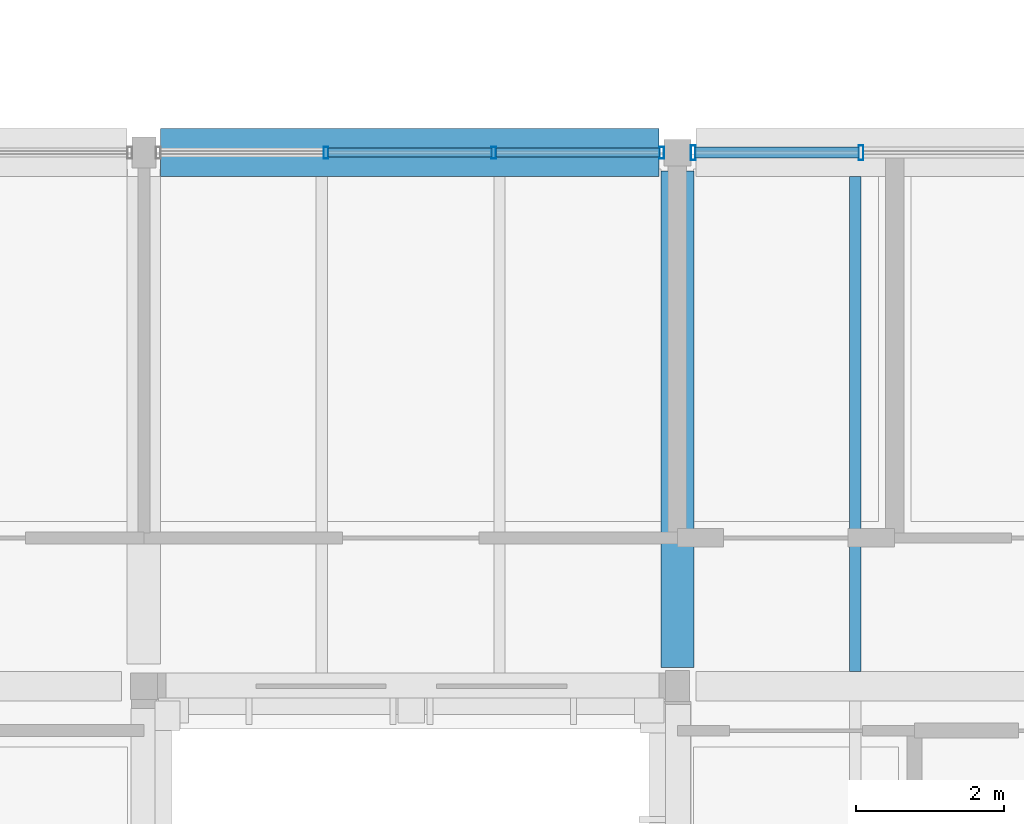
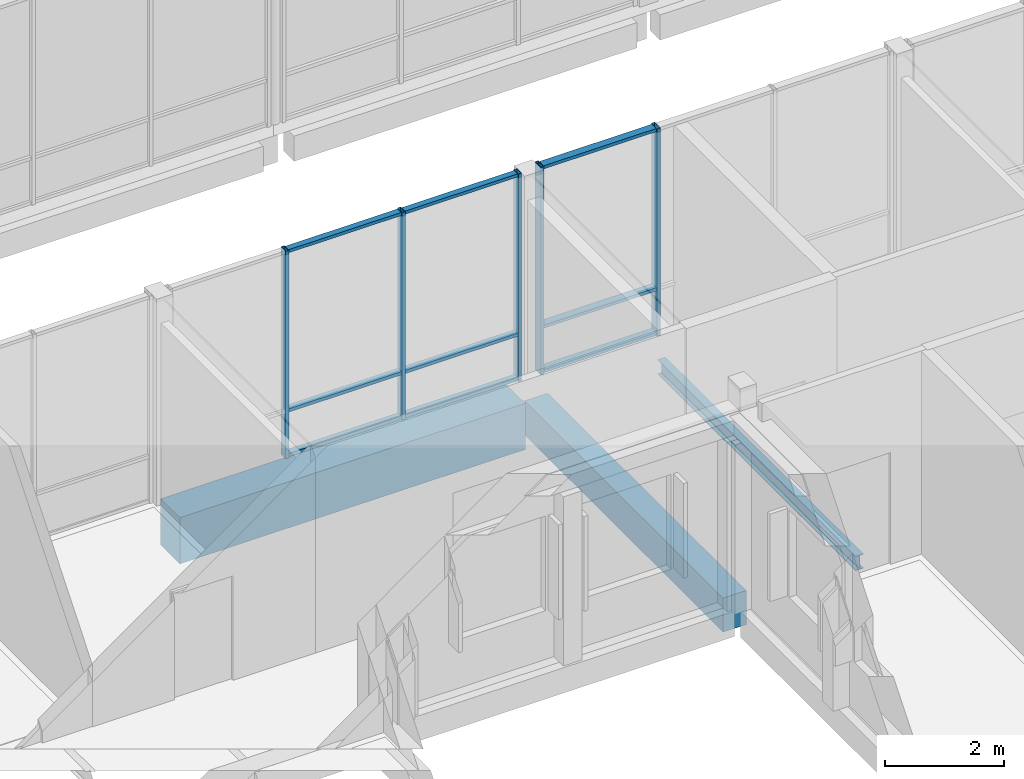
# One storey, part 31 of 146: 14 members, 3 beams, 2 elements without a shape of their own.
"""IFC4 building model written with IfcOpenShell, lengths in metres."""

from ifc_helpers import new_model, si_unit, direction, frame, origin, origin_2d, place, context, subcontext, project, spatial, rectangle, hollow_rectangle, i_section, extrude, material, material_profile, profile_set, type_object, element, aggregate, save


model = new_model("IFC4")

# Units and contexts
model_context = context("Model", 3, precision=1e-05, world=origin(), true_north=direction((0.0, 1.0)))
body_context = subcontext(model_context, "Body", "Model", "MODEL_VIEW")
ifc_project = project(units=[si_unit("LENGTHUNIT", "METRE"), si_unit("AREAUNIT", "SQUARE_METRE"), si_unit("VOLUMEUNIT", "CUBIC_METRE"), si_unit("PLANEANGLEUNIT", "RADIAN"), si_unit("MASSUNIT", "GRAM", prefix="KILO")], contexts=[model_context])

# Site, building, storey
site_placement = place(None, origin())
site = spatial("IfcSite", under=ifc_project, at=site_placement, CompositionType="ELEMENT")
building_placement = place(site_placement, origin())
building = spatial("IfcBuilding", under=site, at=building_placement, Name="Hawrajan Terrace Health Centre", CompositionType="ELEMENT")
storey_placement = place(building_placement, frame((0.0, 0.0, 4.5)))
storey = spatial("IfcBuildingStorey", under=building, at=storey_placement, Name="L01", CompositionType="ELEMENT", Elevation=4.5)

# Curtain wall, members
ifc_material_1 = material(Name="Anodized bronze aluminium and low-E solar glazing", Category="aluminium")
curtain_wall_type_1 = type_object("IfcCurtainWallType", Name="CW_Terrace_SeriesK1", PredefinedType="USERDEFINED", material=ifc_material_1)
curtain_wall_1_placement = place(storey_placement, origin())
curtain_wall_1 = element("IfcCurtainWall", 1, at=curtain_wall_1_placement, inside=storey, type_object=curtain_wall_type_1, Name="Curtain wall CW-L01-069", ObjectType="UNITISED CURTAIN WALL", PredefinedType="USERDEFINED")
ifc_material_2 = material(Name="Anodized bronze aluminium 6063-T6", Category="aluminium")
ifc_material_profile_1 = material_profile(ifc_material_2, hollow_rectangle(XDim=0.06494140625, YDim=0.159912109375, WallThickness=0.00390625, at=origin_2d()), Name="CW MUL 65x160")
ifc_profile_set_1 = profile_set([ifc_material_profile_1], Name="Anodized bronze aluminium 6063-T6")
member_type_1 = type_object("IfcMemberType", Name="CWMullion_65x160", PredefinedType="MULLION", material=ifc_profile_set_1)
member_1_placement = place(storey_placement, frame((43.0576171875, 18.60009765625, -0.0048828125), z_axis=(0.0, 0.0, 1.0), x_axis=(1.0, 0.0, 0.0)))
member_1 = element("IfcMember", 2, at=member_1_placement, type_object=member_type_1, Name="Mullion CW-L01-069-M2", PredefinedType="MULLION", context=body_context, shape_type="SweptSolid", body=[
    extrude(hollow_rectangle(XDim=0.06494140625, YDim=0.159912109375, WallThickness=0.00390625, at=origin_2d()), origin(), (0.0, 0.0, 1.0), 4.269775390625),
])
member_2_placement = place(storey_placement, frame((45.322509765625, 18.60009765625, -0.0048828125), z_axis=(0.0, 0.0, 1.0), x_axis=(1.0, 0.0, 0.0)))
member_2 = element("IfcMember", 3, at=member_2_placement, type_object=member_type_1, Name="Mullion CW-L01-069-M3", PredefinedType="MULLION", context=body_context, shape_type="SweptSolid", body=[
    extrude(hollow_rectangle(XDim=0.06494140625, YDim=0.159912109375, WallThickness=0.00390625, at=origin_2d()), origin(), (0.0, 0.0, 1.0), 4.269775390625),
])
member_3_placement = place(storey_placement, frame((47.58740234375, 18.60009765625, -0.0048828125), z_axis=(0.0, 0.0, 1.0), x_axis=(1.0, 0.0, 0.0)))
member_3 = element("IfcMember", 4, at=member_3_placement, type_object=member_type_1, Name="Mullion CW-L01-069-M4", PredefinedType="MULLION", context=body_context, shape_type="SweptSolid", body=[
    extrude(hollow_rectangle(XDim=0.06494140625, YDim=0.159912109375, WallThickness=0.00390625, at=origin_2d()), origin(), (0.0, 0.0, 1.0), 4.269775390625),
])

curtain_wall_type_2 = type_object("IfcCurtainWallType", Name="CW_Court_SeriesA1", PredefinedType="USERDEFINED", material=ifc_material_1)
curtain_wall_2_placement = place(storey_placement, origin())
curtain_wall_2 = element("IfcCurtainWall", 5, at=curtain_wall_2_placement, inside=storey, type_object=curtain_wall_type_2, Name="Curtain wall CW-L01-073", ObjectType="UNITISED CURTAIN WALL", PredefinedType="USERDEFINED")
ifc_material_profile_2 = material_profile(ifc_material_2, hollow_rectangle(XDim=0.06494140625, YDim=0.199951171875, WallThickness=0.00439453125, at=origin_2d()), Name="CW MUL 65x200")
ifc_profile_set_2 = profile_set([ifc_material_profile_2], Name="Anodized bronze aluminium 6063-T6")
member_type_2 = type_object("IfcMemberType", Name="CWMullion_65x200", PredefinedType="MULLION", material=ifc_profile_set_2)
member_4_placement = place(storey_placement, frame((48.012451171875, 18.60009765625, -0.0048828125), z_axis=(0.0, 0.0, 1.0), x_axis=(1.0, 0.0, 0.0)))
member_4 = element("IfcMember", 6, at=member_4_placement, type_object=member_type_2, Name="Mullion CW-L01-073-M1", PredefinedType="MULLION", context=body_context, shape_type="SweptSolid", body=[
    extrude(hollow_rectangle(XDim=0.06494140625, YDim=0.199951171875, WallThickness=0.00439453125, at=origin_2d()), origin(), (0.0, 0.0, 1.0), 4.269775390625),
])
member_5_placement = place(storey_placement, frame((50.277587890625, 18.60009765625, -0.0048828125), z_axis=(0.0, 0.0, 1.0), x_axis=(1.0, 0.0, 0.0)))
member_5 = element("IfcMember", 7, at=member_5_placement, type_object=member_type_2, Name="Mullion CW-L01-073-M2", PredefinedType="MULLION", context=body_context, shape_type="SweptSolid", body=[
    extrude(hollow_rectangle(XDim=0.06494140625, YDim=0.199951171875, WallThickness=0.00439453125, at=origin_2d()), origin(), (0.0, 0.0, 1.0), 4.269775390625),
])

# Member
ifc_material_profile_3 = material_profile(ifc_material_2, hollow_rectangle(XDim=0.06494140625, YDim=0.1201171875, WallThickness=0.00341796875, at=origin_2d()), Name="CW TRN 65x120")
ifc_profile_set_3 = profile_set([ifc_material_profile_3], Name="Anodized bronze aluminium 6063-T6")
member_type_3 = type_object("IfcMemberType", Name="CWTransom_65x120", PredefinedType="USERDEFINED", material=ifc_profile_set_3)
member_6_placement = place(storey_placement, frame((43.083984375, 18.60009765625, 0.032470703125), z_axis=(1.0, 0.0, 0.0), x_axis=(0.0, 0.0, 1.0)))
member_6 = element("IfcMember", 8, at=member_6_placement, type_object=member_type_3, Name="Transom CW-L01-069-T2-1", ObjectType="TRANSOM", PredefinedType="USERDEFINED", context=body_context, shape_type="SweptSolid", body=[
    extrude(hollow_rectangle(XDim=0.06494140625, YDim=0.1201171875, WallThickness=0.00341796875, at=origin_2d()), origin(), (0.0, 0.0, 1.0), 2.2119140625),
])

member_7_placement = place(storey_placement, frame((43.083984375, 18.60009765625, 0.949951171875), z_axis=(1.0, 0.0, 0.0), x_axis=(0.0, 0.0, 1.0)))
member_7 = element("IfcMember", 9, at=member_7_placement, type_object=member_type_3, Name="Transom CW-L01-069-T2-2", ObjectType="TRANSOM", PredefinedType="USERDEFINED", context=body_context, shape_type="SweptSolid", body=[
    extrude(hollow_rectangle(XDim=0.06494140625, YDim=0.1201171875, WallThickness=0.00341796875, at=origin_2d()), origin(), (0.0, 0.0, 1.0), 2.2119140625),
])

member_8_placement = place(storey_placement, frame((43.083984375, 18.60009765625, 4.2275390625), z_axis=(1.0, 0.0, 0.0), x_axis=(0.0, 0.0, 1.0)))
member_8 = element("IfcMember", 10, at=member_8_placement, type_object=member_type_3, Name="Transom CW-L01-069-T2-3", ObjectType="TRANSOM", PredefinedType="USERDEFINED", context=body_context, shape_type="SweptSolid", body=[
    extrude(hollow_rectangle(XDim=0.06494140625, YDim=0.1201171875, WallThickness=0.00341796875, at=origin_2d()), origin(), (0.0, 0.0, 1.0), 2.2119140625),
])

member_9_placement = place(storey_placement, frame((45.34912109375, 18.60009765625, 0.032470703125), z_axis=(1.0, 0.0, 0.0), x_axis=(0.0, 0.0, 1.0)))
member_9 = element("IfcMember", 11, at=member_9_placement, type_object=member_type_3, Name="Transom CW-L01-069-T3-1", ObjectType="TRANSOM", PredefinedType="USERDEFINED", context=body_context, shape_type="SweptSolid", body=[
    extrude(hollow_rectangle(XDim=0.06494140625, YDim=0.1201171875, WallThickness=0.00341796875, at=origin_2d()), origin(), (0.0, 0.0, 1.0), 2.2119140625),
])

member_10_placement = place(storey_placement, frame((45.34912109375, 18.60009765625, 0.949951171875), z_axis=(1.0, 0.0, 0.0), x_axis=(0.0, 0.0, 1.0)))
member_10 = element("IfcMember", 12, at=member_10_placement, type_object=member_type_3, Name="Transom CW-L01-069-T3-2", ObjectType="TRANSOM", PredefinedType="USERDEFINED", context=body_context, shape_type="SweptSolid", body=[
    extrude(hollow_rectangle(XDim=0.06494140625, YDim=0.1201171875, WallThickness=0.00341796875, at=origin_2d()), origin(), (0.0, 0.0, 1.0), 2.2119140625),
])

member_11_placement = place(storey_placement, frame((45.34912109375, 18.60009765625, 4.2275390625), z_axis=(1.0, 0.0, 0.0), x_axis=(0.0, 0.0, 1.0)))
member_11 = element("IfcMember", 13, at=member_11_placement, type_object=member_type_3, Name="Transom CW-L01-069-T3-3", ObjectType="TRANSOM", PredefinedType="USERDEFINED", context=body_context, shape_type="SweptSolid", body=[
    extrude(hollow_rectangle(XDim=0.06494140625, YDim=0.1201171875, WallThickness=0.00341796875, at=origin_2d()), origin(), (0.0, 0.0, 1.0), 2.2119140625),
])

aggregate(curtain_wall_1, [member_1, member_2, member_3, member_6, member_7, member_8, member_9, member_10, member_11])

ifc_material_profile_4 = material_profile(ifc_material_2, hollow_rectangle(XDim=0.06494140625, YDim=0.14990234375, WallThickness=0.00390625, at=origin_2d()), Name="CW TRN 65x150")
ifc_profile_set_4 = profile_set([ifc_material_profile_4], Name="Anodized bronze aluminium 6063-T6")
member_type_4 = type_object("IfcMemberType", Name="CWTransom_65x150", PredefinedType="USERDEFINED", material=ifc_profile_set_4)
member_12_placement = place(storey_placement, frame((48.0390625, 18.60009765625, 0.032470703125), z_axis=(1.0, 0.0, 0.0), x_axis=(0.0, 0.0, 1.0)))
member_12 = element("IfcMember", 14, at=member_12_placement, type_object=member_type_4, Name="Transom CW-L01-073-T1-1", ObjectType="TRANSOM", PredefinedType="USERDEFINED", context=body_context, shape_type="SweptSolid", body=[
    extrude(hollow_rectangle(XDim=0.06494140625, YDim=0.14990234375, WallThickness=0.00390625, at=origin_2d()), origin(), (0.0, 0.0, 1.0), 2.2119140625),
])

member_13_placement = place(storey_placement, frame((48.0390625, 18.60009765625, 0.949951171875), z_axis=(1.0, 0.0, 0.0), x_axis=(0.0, 0.0, 1.0)))
member_13 = element("IfcMember", 15, at=member_13_placement, type_object=member_type_4, Name="Transom CW-L01-073-T1-2", ObjectType="TRANSOM", PredefinedType="USERDEFINED", context=body_context, shape_type="SweptSolid", body=[
    extrude(hollow_rectangle(XDim=0.06494140625, YDim=0.14990234375, WallThickness=0.00390625, at=origin_2d()), origin(), (0.0, 0.0, 1.0), 2.2119140625),
])

member_14_placement = place(storey_placement, frame((48.0390625, 18.60009765625, 4.2275390625), z_axis=(1.0, 0.0, 0.0), x_axis=(0.0, 0.0, 1.0)))
member_14 = element("IfcMember", 16, at=member_14_placement, type_object=member_type_4, Name="Transom CW-L01-073-T1-3", ObjectType="TRANSOM", PredefinedType="USERDEFINED", context=body_context, shape_type="SweptSolid", body=[
    extrude(hollow_rectangle(XDim=0.06494140625, YDim=0.14990234375, WallThickness=0.00390625, at=origin_2d()), origin(), (0.0, 0.0, 1.0), 2.2119140625),
])

aggregate(curtain_wall_2, [member_4, member_5, member_12, member_13, member_14])

# Beams
ifc_material_3 = material(Name="Concrete C40/50", Category="concrete")
ifc_material_profile_5 = material_profile(ifc_material_3, rectangle(XDim=0.449951171875, YDim=0.699951171875, at=origin_2d()), Name="RC BM 450x700")
ifc_profile_set_5 = profile_set([ifc_material_profile_5], Name="Concrete C40/50")
beam_type_1 = type_object("IfcBeamType", Name="RCGirder_450x700", PredefinedType="BEAM", material=ifc_profile_set_5)
beam_1_placement = place(storey_placement, frame((47.800048828125, 11.64990234375, -0.64990234375), z_axis=(0.0, 1.0, 0.0), x_axis=(-1.0, 0.0, 0.0)))
element("IfcBeam", 17, at=beam_1_placement, inside=storey, type_object=beam_type_1, Name="Beam BM-Y-L01-W-X07-2", PredefinedType="BEAM", context=body_context, shape_type="SweptSolid", body=[
    extrude(rectangle(XDim=0.449951171875, YDim=0.699951171875, at=origin_2d()), origin(), (0.0, 0.0, 1.0), 6.7001953125),
])
ifc_material_profile_6 = material_profile(ifc_material_3, rectangle(XDim=0.64990234375, YDim=0.949951171875, at=origin_2d()), Name="RC TG 650x950")
ifc_profile_set_6 = profile_set([ifc_material_profile_6], Name="Concrete C40/50")
beam_type_2 = type_object("IfcBeamType", Name="RCTransferGirder_650x950", PredefinedType="BEAM", material=ifc_profile_set_6)
beam_2_placement = place(storey_placement, frame((40.824951171875, 18.60009765625, -0.77490234375), z_axis=(1.0, 0.0, 0.0), x_axis=(0.0, 1.0, 0.0)))
element("IfcBeam", 18, at=beam_2_placement, inside=storey, type_object=beam_type_2, Name="Beam BM-X-L01-W-06-Y3", PredefinedType="BEAM", context=body_context, shape_type="SweptSolid", body=[
    extrude(rectangle(XDim=0.64990234375, YDim=0.949951171875, at=origin_2d()), origin(), (0.0, 0.0, 1.0), 6.72509765625),
])
ifc_material_4 = material(Name="Steel S355", Category="steel")
ifc_material_profile_7 = material_profile(ifc_material_4, i_section(OverallWidth=0.14990234375, OverallDepth=0.300048828125, WebThickness=0.007080078125, FlangeThickness=0.0107421875, FilletRadius=0.014892578125, at=origin_2d()), Name="IPE 300")
ifc_profile_set_7 = profile_set([ifc_material_profile_7], Name="Steel S355")
beam_type_3 = type_object("IfcBeamType", Name="SteelBeam_IPE300", PredefinedType="JOIST", material=ifc_profile_set_7)
beam_3_placement = place(storey_placement, frame((50.199951171875, 11.60009765625, -0.449951171875), z_axis=(0.0, 1.0, 0.0), x_axis=(-1.0, 0.0, 0.0)))
element("IfcBeam", 19, at=beam_3_placement, inside=storey, type_object=beam_type_3, Name="Secondary joist JST-L01-W-07-2-1", PredefinedType="JOIST", context=body_context, shape_type="SweptSolid", body=[
    extrude(i_section(OverallWidth=0.14990234375, OverallDepth=0.300048828125, WebThickness=0.007080078125, FlangeThickness=0.0107421875, FilletRadius=0.014892578125, at=origin_2d()), origin(), (0.0, 0.0, 1.0), 6.6748046875),
])

save(model, "model.ifc")
